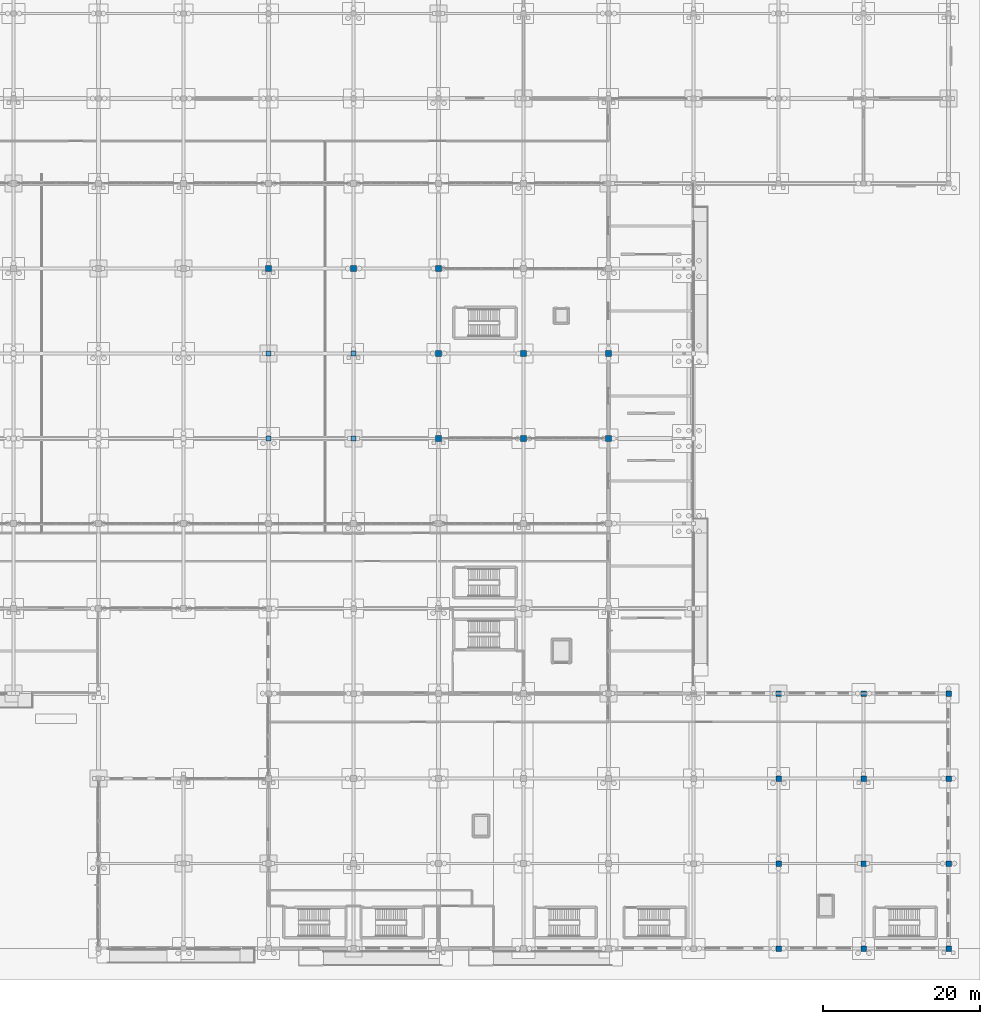
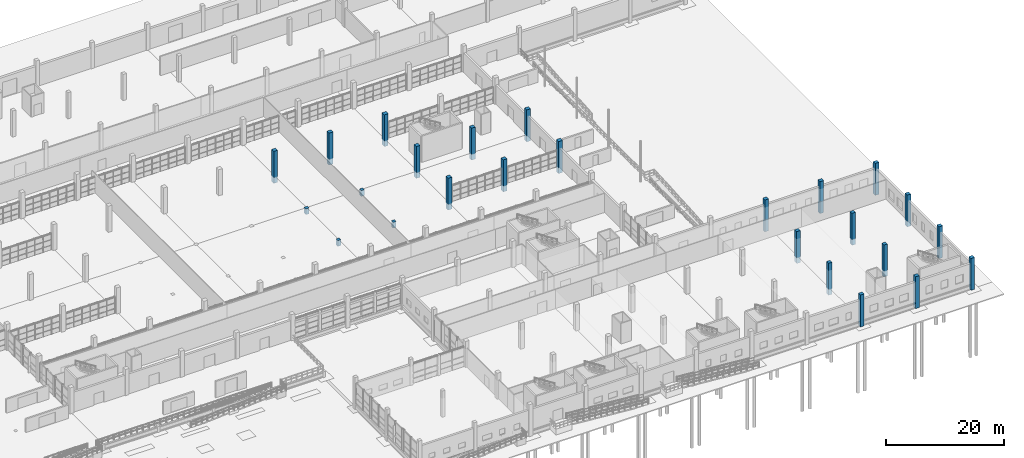
# One storey, part 11 of 138: 25 columns.
"""IFC4 building model written with IfcOpenShell, lengths in metres."""

import ifcopenshell
import ifcopenshell.guid

model = None  # the IFC model being written
_history = None  # IfcOwnerHistory: only IFC2X3 demands one
_inside = {}  # id of a spatial element -> (the spatial element, [elements in it])
_under = {}  # id of a project, library or spatial element -> (it, [spatial elements below it])
_declared = {}  # id of a project -> (the project, [libraries it declares])
_typed = {}  # id of a type object -> (the type object, [elements of that type])
_made_of = {}  # id of a material, layer set ... -> (it, [elements and type objects made of it])


def new_model(schema):
    """Start an empty IFC model of exactly this schema.

    Asked for "IFC4X3", IfcOpenShell would pick the latest addendum, in which some entities
    have other attributes; the version numbers below select the first issue.
    IFC2X3 requires an IfcOwnerHistory on every rooted entity: one is made here for all.
    """
    global model, _history
    if schema == "IFC4X3":
        model = ifcopenshell.file(schema_version=(4, 3, 0, 0))
    else:
        model = ifcopenshell.file(schema=schema)
    _inside.clear()
    _under.clear()
    _declared.clear()
    _typed.clear()
    _made_of.clear()
    _history = None
    if model.schema == "IFC2X3":
        org = make("IfcOrganization", Name="unknown")
        user = make(
            "IfcPersonAndOrganization",
            ThePerson=make("IfcPerson", FamilyName="unknown"),
            TheOrganization=org,
        )
        app = make(
            "IfcApplication",
            ApplicationDeveloper=org,
            Version="unknown",
            ApplicationFullName="unknown",
            ApplicationIdentifier="unknown",
        )
        _history = make(
            "IfcOwnerHistory",
            OwningUser=user,
            OwningApplication=app,
            ChangeAction="ADDED",
            CreationDate=0,
        )
    return model


def make(cls, **values):
    """One entity of the class cls with the attributes given. An attribute that is None is left unset."""
    return model.create_entity(
        cls, **{name: value for name, value in values.items() if value is not None}
    )


def rooted(cls, **values):
    """An entity with a GlobalId (a new one), such as an element, a storey or a relation."""
    return make(cls, GlobalId=ifcopenshell.guid.new(), OwnerHistory=_history, **values)


def si_unit(unit_type, name, prefix=None):
    """IfcSIUnit, for example si_unit("LENGTHUNIT", "METRE", prefix="MILLI")."""
    return make("IfcSIUnit", UnitType=unit_type, Prefix=prefix, Name=name)


def assignment(units):
    """IfcUnitAssignment: the units of a project."""
    return None if units is None else make("IfcUnitAssignment", Units=units)


def point(xyz):
    """IfcCartesianPoint."""
    return None if xyz is None else make("IfcCartesianPoint", Coordinates=xyz)


def direction(xyz):
    """IfcDirection."""
    return None if xyz is None else make("IfcDirection", DirectionRatios=xyz)


def frame(location, z_axis=None, x_axis=None):
    """IfcAxis2Placement3D, a coordinate frame: its origin and axes. An axis left out is left unset."""
    return make(
        "IfcAxis2Placement3D",
        Location=point(location),
        Axis=direction(z_axis),
        RefDirection=direction(x_axis),
    )


def frame_2d(location, x_axis=None):
    """IfcAxis2Placement2D, a coordinate frame in the plane: its origin and x axis."""
    return make(
        "IfcAxis2Placement2D", Location=point(location), RefDirection=direction(x_axis)
    )


def origin():
    """The frame at (0, 0, 0) with its axes left unset."""
    return frame((0.0, 0.0, 0.0))


def origin_2d():
    """The frame at (0, 0) in the plane with its x axis left unset."""
    return frame_2d((0.0, 0.0))


def place(relative_to, where):
    """IfcLocalPlacement: puts the frame where relative to a parent placement (None: the world)."""
    return make(
        "IfcLocalPlacement", PlacementRelTo=relative_to, RelativePlacement=where
    )


def context(
    kind, dimensions, precision=None, world=None, true_north=None, identifier=None
):
    """IfcGeometricRepresentationContext, for example the 3D "Model" context."""
    return make(
        "IfcGeometricRepresentationContext",
        ContextIdentifier=identifier,
        ContextType=kind,
        CoordinateSpaceDimension=dimensions,
        Precision=precision,
        WorldCoordinateSystem=world,
        TrueNorth=true_north,
    )


def subcontext(parent, identifier, kind, view, scale=None):
    """IfcGeometricRepresentationSubContext, for example "Body" below "Model"."""
    return make(
        "IfcGeometricRepresentationSubContext",
        ContextIdentifier=identifier,
        ContextType=kind,
        ParentContext=parent,
        TargetScale=scale,
        TargetView=view,
    )


def project(units=None, contexts=None):
    """IfcProject with its units and contexts."""
    return rooted(
        "IfcProject",
        Name="project",
        RepresentationContexts=contexts,
        UnitsInContext=assignment(units),
    )


def spatial(cls, under=None, at=None, **own):
    """A site, building, storey or space (cls), placed at a placement, below another one or the project."""
    s = rooted(cls, ObjectPlacement=at, **own)
    if under is not None:
        _under.setdefault(under.id(), (under, []))[1].append(s)
    return s


def profile(cls, at=None, kind="AREA", **sizes):
    """A parametric profile (cls). Its sizes go by their IFC names, for example OverallWidth=200.0."""
    return make(cls, ProfileType=kind, Position=at, **sizes)


def rectangle(**sizes):
    """IfcRectangleProfileDef."""
    return profile("IfcRectangleProfileDef", **sizes)


def extrude(swept, where, along, depth):
    """IfcExtrudedAreaSolid: the profile swept, set in the frame where, extruded along a direction by depth."""
    return make(
        "IfcExtrudedAreaSolid",
        SweptArea=swept,
        Position=where,
        ExtrudedDirection=direction(along),
        Depth=depth,
    )


def shape(context_of_items, identifier, shape_type, items):
    """IfcShapeRepresentation: the items that make up one representation, for example the "Body"."""
    return make(
        "IfcShapeRepresentation",
        ContextOfItems=context_of_items,
        RepresentationIdentifier=identifier,
        RepresentationType=shape_type,
        Items=items,
    )


def material(Name=None, Category=None):
    """IfcMaterial."""
    return make("IfcMaterial", Name=Name, Category=Category)


def material_profile(
    of_material, cross_section, Name=None, Category=None, Priority=None
):
    """IfcMaterialProfile: a cross section and its material."""
    return make(
        "IfcMaterialProfile",
        Name=Name,
        Material=of_material,
        Profile=cross_section,
        Priority=Priority,
        Category=Category,
    )


def profile_set(profiles, Name=None, composite=None):
    """IfcMaterialProfileSet."""
    return make(
        "IfcMaterialProfileSet",
        Name=Name,
        MaterialProfiles=profiles,
        CompositeProfile=composite,
    )


def made_of(thing, what):
    """Note that an element or type object is made of a material, layer set ...; save() writes the relation."""
    if what is not None:
        _made_of.setdefault(what.id(), (what, []))[1].append(thing)
    return thing


def type_object(cls, material=None, **own):
    """A type object (cls), such as IfcWallType, which elements share."""
    return made_of(rooted(cls, **own), material)


def element(
    cls,
    number,
    at=None,
    inside=None,
    cuts=None,
    type_object=None,
    material=None,
    context=None,
    identifier="Body",
    shape_type=None,
    held_by="IfcProductDefinitionShape",
    body=None,
    shapes=None,
    **own,
):
    """One element of the class cls, such as IfcWall. Its Tag is "e" and its number.

    at: its placement. inside: the storey or other place that contains it. cuts: it is an
    opening in that element (IfcRelVoidsElement). A single representation is given by context,
    identifier, shape_type and body (its items); several are given by shapes. held_by: the class
    of the entity that holds the representations. save() writes the other relations.
    """
    e = rooted(cls, Tag="e%d" % number, ObjectPlacement=at, **own)
    if body is not None:
        shapes = [shape(context, identifier, shape_type, body)]
    if shapes is not None:
        e.Representation = make(held_by, Representations=shapes)
    if inside is not None:
        _inside.setdefault(inside.id(), (inside, []))[1].append(e)
    if cuts is not None:
        rooted(
            "IfcRelVoidsElement", RelatingBuildingElement=cuts, RelatedOpeningElement=e
        )
    if type_object is not None:
        _typed.setdefault(type_object.id(), (type_object, []))[1].append(e)
    return made_of(e, material)


def aggregate(whole, parts):
    """IfcRelAggregates: a whole, such as a stair, and the parts it consists of."""
    return rooted("IfcRelAggregates", RelatingObject=whole, RelatedObjects=parts)


def save(model, path):
    """Write the relations noted so far, then the file.

    IfcRelAggregates (storeys below a building ...), IfcRelContainedInSpatialStructure (elements
    in a storey), IfcRelDefinesByType, IfcRelAssociatesMaterial and IfcRelDeclares: one each for
    every whole, place, type object, material and project.
    """
    for whole, parts in _under.values():
        aggregate(whole, parts)
    for where, things in _inside.values():
        rooted(
            "IfcRelContainedInSpatialStructure",
            RelatedElements=things,
            RelatingStructure=where,
        )
    for kind, things in _typed.values():
        rooted("IfcRelDefinesByType", RelatedObjects=things, RelatingType=kind)
    for what, things in _made_of.values():
        rooted("IfcRelAssociatesMaterial", RelatedObjects=things, RelatingMaterial=what)
    for by, libraries in _declared.values():
        rooted("IfcRelDeclares", RelatingContext=by, RelatedDefinitions=libraries)
    model.write(path)


model = new_model("IFC4")

# Units and contexts
model_context = context("Model", 3, precision=1e-05, world=origin(), true_north=direction((0.0, 1.0)))
body_context = subcontext(model_context, "Body", "Model", "MODEL_VIEW")
ifc_project = project(units=[si_unit("LENGTHUNIT", "METRE"), si_unit("AREAUNIT", "SQUARE_METRE"), si_unit("VOLUMEUNIT", "CUBIC_METRE"), si_unit("PLANEANGLEUNIT", "RADIAN"), si_unit("MASSUNIT", "GRAM", prefix="KILO")], contexts=[model_context])

# Site, building, storey
site_placement = place(None, origin())
site = spatial("IfcSite", under=ifc_project, at=site_placement, CompositionType="ELEMENT")
building_placement = place(site_placement, origin())
building = spatial("IfcBuilding", under=site, at=building_placement, Name="Zwinboog Wholesale Market", CompositionType="ELEMENT")
storey_placement = place(building_placement, origin())
storey = spatial("IfcBuildingStorey", under=building, at=storey_placement, Name="L00", CompositionType="ELEMENT", Elevation=0.0)

# Columns
ifc_material = material(Name="Precast concrete C45/55", Category="concrete")
ifc_material_profile_1 = material_profile(ifc_material, rectangle(XDim=0.75, YDim=0.75, at=origin_2d()), Name="PC 750x750")
ifc_profile_set_1 = profile_set([ifc_material_profile_1], Name="Precast concrete C45/55")
column_type_1 = type_object("IfcColumnType", Name="CT-01", PredefinedType="COLUMN", material=ifc_profile_set_1)
for number, where, z_axis, x_axis, name in (
    (1, (129.60009765625, 86.39990234375, -1.199951171875), (0.0, 0.0, 1.0), (1.0, 0.0, 0.0), "C-01 (COL-L00-0283)"),
    (2, (140.39990234375, 86.39990234375, -1.199951171875), (0.0, 0.0, 1.0), (1.0, 0.0, 0.0), "C-01 (COL-L00-0315)"),
    (3, (151.199951171875, 64.800048828125, -1.199951171875), (0.0, 0.0, 1.0), (1.0, 0.0, 0.0), "C-01 (COL-L00-0347)"),
    (4, (151.199951171875, 75.60009765625, -1.199951171875), (0.0, 0.0, 1.0), (1.0, 0.0, 0.0), "C-01 (COL-L00-0349)"),
    (5, (151.199951171875, 86.39990234375, -1.199951171875), (0.0, 0.0, 1.0), (1.0, 0.0, 0.0), "C-01 (COL-L00-0351)"),
    (6, (162.0, 64.800048828125, -1.199951171875), (0.0, 0.0, 1.0), (1.0, 0.0, 0.0), "C-01 (COL-L00-0383)"),
    (7, (162.0, 75.60009765625, -1.199951171875), (0.0, 0.0, 1.0), (1.0, 0.0, 0.0), "C-01 (COL-L00-0385)"),
    (8, (172.800048828125, 64.800048828125, -1.199951171875), (0.0, 0.0, 1.0), (1.0, 0.0, 0.0), "C-01 (COL-L00-0419)"),
    (9, (172.800048828125, 75.60009765625, -1.199951171875), (0.0, 0.0, 1.0), (1.0, 0.0, 0.0), "C-01 (COL-L00-0421)"),
):
    element("IfcColumn", number, at=place(storey_placement, frame(where, z_axis=z_axis, x_axis=x_axis)), inside=storey, type_object=column_type_1, Name=name, PredefinedType="COLUMN", context=body_context, shape_type="SweptSolid", body=[
        extrude(rectangle(XDim=0.75, YDim=0.75, at=origin_2d()), origin(), (0.0, 0.0, 1.0), 6.599853515625),
    ])
ifc_material_profile_2 = material_profile(ifc_material, rectangle(XDim=0.699951171875, YDim=0.699951171875, at=origin_2d()), Name="PC 700x700")
ifc_profile_set_2 = profile_set([ifc_material_profile_2], Name="Precast concrete C45/55")
column_type_2 = type_object("IfcColumnType", Name="CT-02", PredefinedType="COLUMN", material=ifc_profile_set_2)
for number, where, z_axis, x_axis, name in (
    (10, (194.39990234375, 0.0, -1.199951171875), (0.0, 0.0, 1.0), (1.0, 0.0, 0.0), "C-02 (COL-L00-0457)"),
    (11, (194.39990234375, 10.800048828125, -1.199951171875), (0.0, 0.0, 1.0), (1.0, 0.0, 0.0), "C-02 (COL-L00-0460)"),
    (12, (194.39990234375, 21.60009765625, -1.199951171875), (0.0, 0.0, 1.0), (1.0, 0.0, 0.0), "C-02 (COL-L00-0463)"),
    (13, (194.39990234375, 32.39990234375, -1.199951171875), (0.0, 0.0, 1.0), (1.0, 0.0, 0.0), "C-02 (COL-L00-0466)"),
    (14, (205.199951171875, 0.0, -1.199951171875), (0.0, 0.0, 1.0), (1.0, 0.0, 0.0), "C-02 (COL-L00-0476)"),
    (15, (205.199951171875, 10.800048828125, -1.199951171875), (0.0, 0.0, 1.0), (1.0, 0.0, 0.0), "C-02 (COL-L00-0479)"),
    (16, (205.199951171875, 21.60009765625, -1.199951171875), (0.0, 0.0, 1.0), (1.0, 0.0, 0.0), "C-02 (COL-L00-0482)"),
    (17, (205.199951171875, 32.39990234375, -1.199951171875), (0.0, 0.0, 1.0), (1.0, 0.0, 0.0), "C-02 (COL-L00-0485)"),
    (18, (216.0, 0.0, -1.199951171875), (0.0, 0.0, 1.0), (1.0, 0.0, 0.0), "C-02 (COL-L00-0495)"),
    (19, (216.0, 10.800048828125, -1.199951171875), (0.0, 0.0, 1.0), (1.0, 0.0, 0.0), "C-02 (COL-L00-0498)"),
    (20, (216.0, 21.60009765625, -1.199951171875), (0.0, 0.0, 1.0), (1.0, 0.0, 0.0), "C-02 (COL-L00-0501)"),
    (21, (216.0, 32.39990234375, -1.199951171875), (0.0, 0.0, 1.0), (1.0, 0.0, 0.0), "C-02 (COL-L00-0504)"),
):
    element("IfcColumn", number, at=place(storey_placement, frame(where, z_axis=z_axis, x_axis=x_axis)), inside=storey, type_object=column_type_2, Name=name, PredefinedType="COLUMN", context=body_context, shape_type="SweptSolid", body=[
        extrude(rectangle(XDim=0.699951171875, YDim=0.699951171875, at=origin_2d()), origin(), (0.0, 0.0, 1.0), 6.599853515625),
    ])
ifc_material_profile_3 = material_profile(ifc_material, rectangle(XDim=0.60009765625, YDim=0.60009765625, at=origin_2d()), Name="PC 600x600")
ifc_profile_set_3 = profile_set([ifc_material_profile_3], Name="Precast concrete C45/55")
column_type_3 = type_object("IfcColumnType", Name="CT-04", PredefinedType="COLUMN", material=ifc_profile_set_3)
for number, where, z_axis, x_axis, name in (
    (22, (129.60009765625, 64.800048828125, -1.199951171875), (0.0, 0.0, 1.0), (1.0, 0.0, 0.0), "C-04 (COL-L00-0281)"),
    (23, (129.60009765625, 75.60009765625, -1.199951171875), (0.0, 0.0, 1.0), (1.0, 0.0, 0.0), "C-04 (COL-L00-0282)"),
    (24, (140.39990234375, 64.800048828125, -1.199951171875), (0.0, 0.0, 1.0), (1.0, 0.0, 0.0), "C-04 (COL-L00-0313)"),
    (25, (140.39990234375, 75.60009765625, -1.199951171875), (0.0, 0.0, 1.0), (1.0, 0.0, 0.0), "C-04 (COL-L00-0314)"),
):
    element("IfcColumn", number, at=place(storey_placement, frame(where, z_axis=z_axis, x_axis=x_axis)), inside=storey, type_object=column_type_3, Name=name, PredefinedType="COLUMN", context=body_context, shape_type="SweptSolid", body=[
        extrude(rectangle(XDim=0.60009765625, YDim=0.60009765625, at=origin_2d()), origin(), (0.0, 0.0, 1.0), 1.199951171875),
    ])

save(model, "model.ifc")
